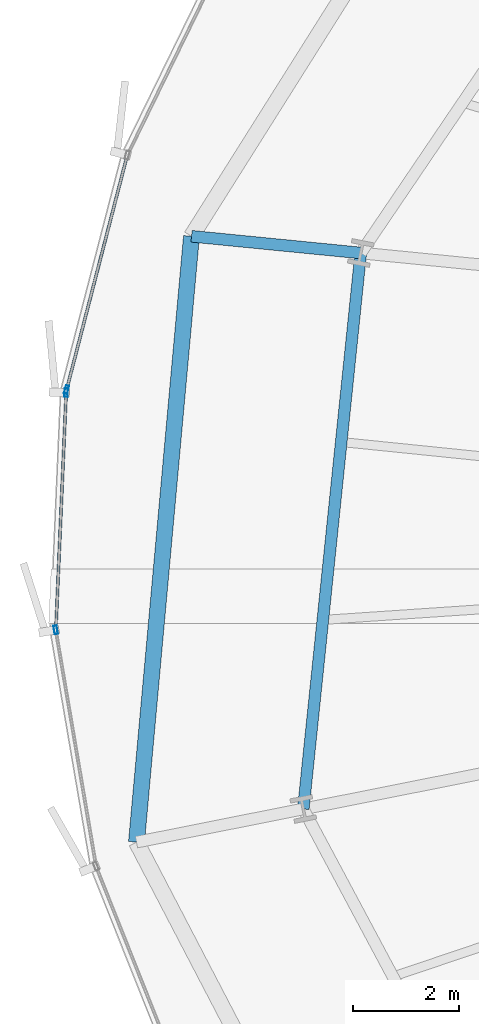
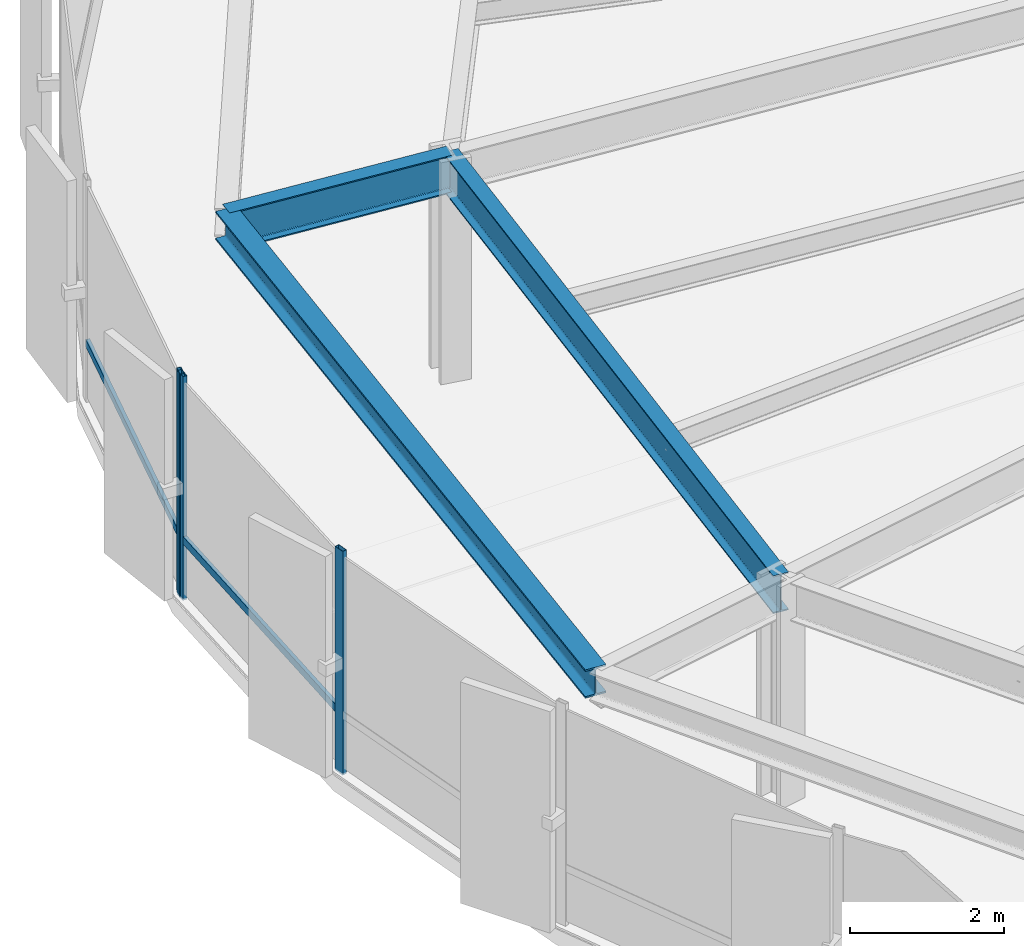
# One storey, part 9 of 39: 5 members, 3 beams, 2 elements without a shape of their own.
"""IFC4 building model written with IfcOpenShell, lengths in metres."""

import ifcopenshell
import ifcopenshell.guid

model = None  # the IFC model being written
_history = None  # IfcOwnerHistory: only IFC2X3 demands one
_inside = {}  # id of a spatial element -> (the spatial element, [elements in it])
_under = {}  # id of a project, library or spatial element -> (it, [spatial elements below it])
_declared = {}  # id of a project -> (the project, [libraries it declares])
_typed = {}  # id of a type object -> (the type object, [elements of that type])
_made_of = {}  # id of a material, layer set ... -> (it, [elements and type objects made of it])


def new_model(schema):
    """Start an empty IFC model of exactly this schema.

    Asked for "IFC4X3", IfcOpenShell would pick the latest addendum, in which some entities
    have other attributes; the version numbers below select the first issue.
    IFC2X3 requires an IfcOwnerHistory on every rooted entity: one is made here for all.
    """
    global model, _history
    if schema == "IFC4X3":
        model = ifcopenshell.file(schema_version=(4, 3, 0, 0))
    else:
        model = ifcopenshell.file(schema=schema)
    _inside.clear()
    _under.clear()
    _declared.clear()
    _typed.clear()
    _made_of.clear()
    _history = None
    if model.schema == "IFC2X3":
        org = make("IfcOrganization", Name="unknown")
        user = make(
            "IfcPersonAndOrganization",
            ThePerson=make("IfcPerson", FamilyName="unknown"),
            TheOrganization=org,
        )
        app = make(
            "IfcApplication",
            ApplicationDeveloper=org,
            Version="unknown",
            ApplicationFullName="unknown",
            ApplicationIdentifier="unknown",
        )
        _history = make(
            "IfcOwnerHistory",
            OwningUser=user,
            OwningApplication=app,
            ChangeAction="ADDED",
            CreationDate=0,
        )
    return model


def make(cls, **values):
    """One entity of the class cls with the attributes given. An attribute that is None is left unset."""
    return model.create_entity(
        cls, **{name: value for name, value in values.items() if value is not None}
    )


def rooted(cls, **values):
    """An entity with a GlobalId (a new one), such as an element, a storey or a relation."""
    return make(cls, GlobalId=ifcopenshell.guid.new(), OwnerHistory=_history, **values)


def si_unit(unit_type, name, prefix=None):
    """IfcSIUnit, for example si_unit("LENGTHUNIT", "METRE", prefix="MILLI")."""
    return make("IfcSIUnit", UnitType=unit_type, Prefix=prefix, Name=name)


def assignment(units):
    """IfcUnitAssignment: the units of a project."""
    return None if units is None else make("IfcUnitAssignment", Units=units)


def point(xyz):
    """IfcCartesianPoint."""
    return None if xyz is None else make("IfcCartesianPoint", Coordinates=xyz)


def direction(xyz):
    """IfcDirection."""
    return None if xyz is None else make("IfcDirection", DirectionRatios=xyz)


def frame(location, z_axis=None, x_axis=None):
    """IfcAxis2Placement3D, a coordinate frame: its origin and axes. An axis left out is left unset."""
    return make(
        "IfcAxis2Placement3D",
        Location=point(location),
        Axis=direction(z_axis),
        RefDirection=direction(x_axis),
    )


def frame_2d(location, x_axis=None):
    """IfcAxis2Placement2D, a coordinate frame in the plane: its origin and x axis."""
    return make(
        "IfcAxis2Placement2D", Location=point(location), RefDirection=direction(x_axis)
    )


def origin():
    """The frame at (0, 0, 0) with its axes left unset."""
    return frame((0.0, 0.0, 0.0))


def origin_2d():
    """The frame at (0, 0) in the plane with its x axis left unset."""
    return frame_2d((0.0, 0.0))


def place(relative_to, where):
    """IfcLocalPlacement: puts the frame where relative to a parent placement (None: the world)."""
    return make(
        "IfcLocalPlacement", PlacementRelTo=relative_to, RelativePlacement=where
    )


def context(
    kind, dimensions, precision=None, world=None, true_north=None, identifier=None
):
    """IfcGeometricRepresentationContext, for example the 3D "Model" context."""
    return make(
        "IfcGeometricRepresentationContext",
        ContextIdentifier=identifier,
        ContextType=kind,
        CoordinateSpaceDimension=dimensions,
        Precision=precision,
        WorldCoordinateSystem=world,
        TrueNorth=true_north,
    )


def subcontext(parent, identifier, kind, view, scale=None):
    """IfcGeometricRepresentationSubContext, for example "Body" below "Model"."""
    return make(
        "IfcGeometricRepresentationSubContext",
        ContextIdentifier=identifier,
        ContextType=kind,
        ParentContext=parent,
        TargetScale=scale,
        TargetView=view,
    )


def project(units=None, contexts=None):
    """IfcProject with its units and contexts."""
    return rooted(
        "IfcProject",
        Name="project",
        RepresentationContexts=contexts,
        UnitsInContext=assignment(units),
    )


def spatial(cls, under=None, at=None, **own):
    """A site, building, storey or space (cls), placed at a placement, below another one or the project."""
    s = rooted(cls, ObjectPlacement=at, **own)
    if under is not None:
        _under.setdefault(under.id(), (under, []))[1].append(s)
    return s


def profile(cls, at=None, kind="AREA", **sizes):
    """A parametric profile (cls). Its sizes go by their IFC names, for example OverallWidth=200.0."""
    return make(cls, ProfileType=kind, Position=at, **sizes)


def hollow_rectangle(**sizes):
    """IfcRectangleHollowProfileDef."""
    return profile("IfcRectangleHollowProfileDef", **sizes)


def i_section(**sizes):
    """IfcIShapeProfileDef."""
    return profile("IfcIShapeProfileDef", **sizes)


def extrude(swept, where, along, depth):
    """IfcExtrudedAreaSolid: the profile swept, set in the frame where, extruded along a direction by depth."""
    return make(
        "IfcExtrudedAreaSolid",
        SweptArea=swept,
        Position=where,
        ExtrudedDirection=direction(along),
        Depth=depth,
    )


def shape(context_of_items, identifier, shape_type, items):
    """IfcShapeRepresentation: the items that make up one representation, for example the "Body"."""
    return make(
        "IfcShapeRepresentation",
        ContextOfItems=context_of_items,
        RepresentationIdentifier=identifier,
        RepresentationType=shape_type,
        Items=items,
    )


def source(mapping_origin, context_of_items, identifier, shape_type, items):
    """IfcRepresentationMap: a shape defined once, which mapped items show again and again."""
    return make(
        "IfcRepresentationMap",
        MappingOrigin=mapping_origin,
        MappedRepresentation=shape(context_of_items, identifier, shape_type, items),
    )


def transform(
    local_origin,
    x_axis=None,
    y_axis=None,
    z_axis=None,
    scale=None,
    scale2=None,
    scale3=None,
    uniform=True,
):
    """IfcCartesianTransformationOperator3D, or its non-uniform kind. x_axis, y_axis, z_axis: its Axis1, 2, 3."""
    if uniform:
        return make(
            "IfcCartesianTransformationOperator3D",
            Axis1=direction(x_axis),
            Axis2=direction(y_axis),
            LocalOrigin=point(local_origin),
            Scale=scale,
            Axis3=direction(z_axis),
        )
    return make(
        "IfcCartesianTransformationOperator3DnonUniform",
        Axis1=direction(x_axis),
        Axis2=direction(y_axis),
        LocalOrigin=point(local_origin),
        Scale=scale,
        Axis3=direction(z_axis),
        Scale2=scale2,
        Scale3=scale3,
    )


def mapped(mapping_source, mapping_target):
    """IfcMappedItem: shows the shape of a source again, moved by a transform."""
    return make(
        "IfcMappedItem", MappingSource=mapping_source, MappingTarget=mapping_target
    )


def material(Name=None, Category=None):
    """IfcMaterial."""
    return make("IfcMaterial", Name=Name, Category=Category)


def layer(
    of_material, thickness, ventilated=None, Name=None, Category=None, Priority=None
):
    """IfcMaterialLayer: one layer of a wall or slab, of a material (None: an air gap)."""
    return make(
        "IfcMaterialLayer",
        Material=of_material,
        LayerThickness=thickness,
        IsVentilated=ventilated,
        Name=Name,
        Category=Category,
        Priority=Priority,
    )


def layer_set(layers, Name=None):
    """IfcMaterialLayerSet."""
    return make("IfcMaterialLayerSet", MaterialLayers=layers, LayerSetName=Name)


def material_profile(
    of_material, cross_section, Name=None, Category=None, Priority=None
):
    """IfcMaterialProfile: a cross section and its material."""
    return make(
        "IfcMaterialProfile",
        Name=Name,
        Material=of_material,
        Profile=cross_section,
        Priority=Priority,
        Category=Category,
    )


def profile_set(profiles, Name=None, composite=None):
    """IfcMaterialProfileSet."""
    return make(
        "IfcMaterialProfileSet",
        Name=Name,
        MaterialProfiles=profiles,
        CompositeProfile=composite,
    )


def made_of(thing, what):
    """Note that an element or type object is made of a material, layer set ...; save() writes the relation."""
    if what is not None:
        _made_of.setdefault(what.id(), (what, []))[1].append(thing)
    return thing


def type_object(cls, material=None, **own):
    """A type object (cls), such as IfcWallType, which elements share."""
    return made_of(rooted(cls, **own), material)


def element(
    cls,
    number,
    at=None,
    inside=None,
    cuts=None,
    type_object=None,
    material=None,
    context=None,
    identifier="Body",
    shape_type=None,
    held_by="IfcProductDefinitionShape",
    body=None,
    shapes=None,
    **own,
):
    """One element of the class cls, such as IfcWall. Its Tag is "e" and its number.

    at: its placement. inside: the storey or other place that contains it. cuts: it is an
    opening in that element (IfcRelVoidsElement). A single representation is given by context,
    identifier, shape_type and body (its items); several are given by shapes. held_by: the class
    of the entity that holds the representations. save() writes the other relations.
    """
    e = rooted(cls, Tag="e%d" % number, ObjectPlacement=at, **own)
    if body is not None:
        shapes = [shape(context, identifier, shape_type, body)]
    if shapes is not None:
        e.Representation = make(held_by, Representations=shapes)
    if inside is not None:
        _inside.setdefault(inside.id(), (inside, []))[1].append(e)
    if cuts is not None:
        rooted(
            "IfcRelVoidsElement", RelatingBuildingElement=cuts, RelatedOpeningElement=e
        )
    if type_object is not None:
        _typed.setdefault(type_object.id(), (type_object, []))[1].append(e)
    return made_of(e, material)


def aggregate(whole, parts):
    """IfcRelAggregates: a whole, such as a stair, and the parts it consists of."""
    return rooted("IfcRelAggregates", RelatingObject=whole, RelatedObjects=parts)


def save(model, path):
    """Write the relations noted so far, then the file.

    IfcRelAggregates (storeys below a building ...), IfcRelContainedInSpatialStructure (elements
    in a storey), IfcRelDefinesByType, IfcRelAssociatesMaterial and IfcRelDeclares: one each for
    every whole, place, type object, material and project.
    """
    for whole, parts in _under.values():
        aggregate(whole, parts)
    for where, things in _inside.values():
        rooted(
            "IfcRelContainedInSpatialStructure",
            RelatedElements=things,
            RelatingStructure=where,
        )
    for kind, things in _typed.values():
        rooted("IfcRelDefinesByType", RelatedObjects=things, RelatingType=kind)
    for what, things in _made_of.values():
        rooted("IfcRelAssociatesMaterial", RelatedObjects=things, RelatingMaterial=what)
    for by, libraries in _declared.values():
        rooted("IfcRelDeclares", RelatingContext=by, RelatedDefinitions=libraries)
    model.write(path)


model = new_model("IFC4")

# Units and contexts
model_context = context("Model", 3, precision=1e-05, world=origin(), true_north=direction((0.0, 1.0)))
body_context = subcontext(model_context, "Body", "Model", "MODEL_VIEW")
ifc_project = project(units=[si_unit("LENGTHUNIT", "METRE"), si_unit("AREAUNIT", "SQUARE_METRE"), si_unit("VOLUMEUNIT", "CUBIC_METRE"), si_unit("PLANEANGLEUNIT", "RADIAN"), si_unit("MASSUNIT", "GRAM", prefix="KILO"), si_unit("THERMODYNAMICTEMPERATUREUNIT", "KELVIN")], contexts=[model_context])

# Site, building, storey
site_placement = place(None, origin())
site = spatial("IfcSite", under=ifc_project, at=site_placement, CompositionType="ELEMENT")
building_placement = place(site_placement, origin())
building = spatial("IfcBuilding", under=site, at=building_placement, Name="Kethvar Cultural Tower", CompositionType="ELEMENT")
storey_placement = place(building_placement, frame((0.0, 0.0, 44.800048828125)))
storey = spatial("IfcBuildingStorey", under=building, at=storey_placement, Name="L10", CompositionType="ELEMENT", Elevation=44.800048828125)

# Beams
ifc_material_1 = material(Name="Steel S355J2", Category="steel")
ifc_material_profile_1 = material_profile(ifc_material_1, i_section(OverallWidth=0.219970703125, OverallDepth=0.60009765625, WebThickness=0.011962890625, FlangeThickness=0.01904296875, FilletRadius=0.02392578125, at=origin_2d()), Name="Steel S355J2 — IPE600")
ifc_profile_set_1 = profile_set([ifc_material_profile_1], Name="Steel S355J2 — IPE600")
beam_type_1 = type_object("IfcBeamType", Name="BM-IPE600", PredefinedType="BEAM", material=ifc_profile_set_1)
shared_shape_1 = source(origin(), body_context, "Body", "SweptSolid", [
    extrude(i_section(OverallWidth=0.219970703125, OverallDepth=0.60009765625, WebThickness=0.011962890625, FlangeThickness=0.01904296875, FilletRadius=0.02392578125, at=origin_2d()), origin(), (0.0, 0.0, 1.0), 3.199951171875),
])
beam_1_placement = place(storey_placement, frame((21.047119140625, 32.922607421875, 3.248046875), z_axis=(-0.995167757846, 0.098189275096, 0.0), x_axis=(-0.098189275096, -0.995167757846, 0.0)))
element("IfcBeam", 1, at=beam_1_placement, inside=storey, type_object=beam_type_1, Name="L10 Perimeter Cantilever Beam RC-08", PredefinedType="BEAM", context=body_context, shape_type="MappedRepresentation", body=[
    mapped(shared_shape_1, transform((0.0, 0.0, 0.0), scale=1.0)),
])
shared_shape_2 = source(origin(), body_context, "Body", "SweptSolid", [
    extrude(i_section(OverallWidth=0.219970703125, OverallDepth=0.60009765625, WebThickness=0.011962890625, FlangeThickness=0.01904296875, FilletRadius=0.02392578125, at=origin_2d()), origin(), (0.0, 0.0, 1.0), 10.515869140625),
])
beam_2_placement = place(storey_placement, frame((21.047119140625, 32.922607421875, 3.248046875), z_axis=(-0.102824694973, -0.994699493367, 0.0), x_axis=(0.994699493367, -0.102824694973, 0.0)))
element("IfcBeam", 2, at=beam_2_placement, inside=storey, type_object=beam_type_1, Name="L10 Column Ring Tie Beam CR-08", PredefinedType="BEAM", context=body_context, shape_type="MappedRepresentation", body=[
    mapped(shared_shape_2, transform((0.0, 0.0, 0.0), scale=1.0)),
])
ifc_material_profile_2 = material_profile(ifc_material_1, i_section(OverallWidth=0.300048828125, OverallDepth=0.449951171875, WebThickness=0.013916015625, FlangeThickness=0.02587890625, FilletRadius=0.027099609375, at=origin_2d()), Name="Steel S355J2 — HEB450")
ifc_profile_set_2 = profile_set([ifc_material_profile_2], Name="Steel S355J2 — HEB450")
beam_type_2 = type_object("IfcBeamType", Name="BM-SP450", PredefinedType="SPANDREL", material=ifc_profile_set_2)
shared_shape_3 = source(origin(), body_context, "Body", "SweptSolid", [
    extrude(i_section(OverallWidth=0.300048828125, OverallDepth=0.449951171875, WebThickness=0.013916015625, FlangeThickness=0.02587890625, FilletRadius=0.027099609375, at=origin_2d()), origin(), (0.0, 0.0, 1.0), 11.445556640625),
])
beam_3_placement = place(storey_placement, frame((17.862548828125, 33.23681640625, 3.322998046875), z_axis=(-0.090441506594, -0.995901769195, 0.0), x_axis=(0.995901769195, -0.090441506594, 0.0)))
element("IfcBeam", 3, at=beam_3_placement, inside=storey, type_object=beam_type_2, Name="L10 Perimeter Spandrel Beam SP-08", PredefinedType="SPANDREL", context=body_context, shape_type="MappedRepresentation", body=[
    mapped(shared_shape_3, transform((0.0, 0.0, 0.0), scale=1.0)),
])

# Curtain wall, member
ifc_material_2 = material(Name="Aluminium 6063-T6", Category="aluminium")
ifc_layer = layer(ifc_material_2, 0.179931640625, Name="Aluminium 6063-T6", Category="aluminium")
ifc_layer_set = layer_set([ifc_layer], Name="Aluminium 6063-T6 (180 mm)")
curtain_wall_type = type_object("IfcCurtainWallType", Name="CW-SYS-02-Z1", PredefinedType="NOTDEFINED", material=ifc_layer_set)
curtain_wall_1_placement = place(storey_placement, origin())
curtain_wall_1 = element("IfcCurtainWall", 4, at=curtain_wall_1_placement, inside=storey, type_object=curtain_wall_type, Name="L10 Curtain Wall Run 03", PredefinedType="NOTDEFINED")
ifc_material_profile_3 = material_profile(ifc_material_2, hollow_rectangle(XDim=0.06494140625, YDim=0.159912109375, WallThickness=0.0048828125, at=origin_2d()), Name="Aluminium 6063-T6 — RHS160x65x5")
ifc_profile_set_3 = profile_set([ifc_material_profile_3], Name="Aluminium 6063-T6 — RHS160x65x5")
member_type_1 = type_object("IfcMemberType", Name="CW-SYS-02-Z1-MUL", PredefinedType="MULLION", material=ifc_profile_set_3)
shared_shape_4 = source(origin(), body_context, "Body", "SweptSolid", [
    extrude(hollow_rectangle(XDim=0.06494140625, YDim=0.159912109375, WallThickness=0.0048828125, at=origin_2d()), origin(), (0.0, 0.0, 1.0), 3.550048828125),
])
member_1_placement = place(storey_placement, frame((15.51318359375, 30.352294921875, 0.0), z_axis=(0.0, 0.0, 1.0), x_axis=(0.968147640378, -0.250380004054, 0.0)))
member_1 = element("IfcMember", 5, at=member_1_placement, type_object=member_type_1, Name="CW-L10-R03 Mullion 7", PredefinedType="MULLION", context=body_context, shape_type="MappedRepresentation", body=[
    mapped(shared_shape_4, transform((0.0, 0.0, 0.0), scale=1.0)),
])

# Curtain wall, members
curtain_wall_2_placement = place(storey_placement, origin())
curtain_wall_2 = element("IfcCurtainWall", 6, at=curtain_wall_2_placement, inside=storey, type_object=curtain_wall_type, Name="L10 Curtain Wall Run 04", PredefinedType="NOTDEFINED")
member_2_placement = place(storey_placement, frame((15.50439453125, 30.2939453125, 0.0), z_axis=(0.0, 0.0, 1.0), x_axis=(0.999055060974, -0.0434624567, 0.0)))
member_2 = element("IfcMember", 7, at=member_2_placement, type_object=member_type_1, Name="CW-L10-R04 Mullion 1", PredefinedType="MULLION", context=body_context, shape_type="MappedRepresentation", body=[
    mapped(shared_shape_4, transform((0.0, 0.0, 0.0), scale=1.0)),
])
member_3_placement = place(storey_placement, frame((15.3076171875, 25.831298828125, 0.0), z_axis=(0.0, 0.0, 1.0), x_axis=(0.985729923178, 0.168334543548, 0.0)))
member_3 = element("IfcMember", 8, at=member_3_placement, type_object=member_type_1, Name="CW-L10-R04 Mullion 2", PredefinedType="MULLION", context=body_context, shape_type="MappedRepresentation", body=[
    mapped(shared_shape_4, transform((0.0, 0.0, 0.0), scale=1.0)),
])

# Member
ifc_material_profile_4 = material_profile(ifc_material_2, hollow_rectangle(XDim=0.054931640625, YDim=0.1201171875, WallThickness=0.00390625, at=origin_2d()), Name="Aluminium 6063-T6 — RHS120x55x4")
ifc_profile_set_4 = profile_set([ifc_material_profile_4], Name="Aluminium 6063-T6 — RHS120x55x4")
member_type_2 = type_object("IfcMemberType", Name="CW-SYS-02-Z1-TRN", PredefinedType="USERDEFINED", material=ifc_profile_set_4)
shared_shape_5 = source(origin(), body_context, "Body", "SweptSolid", [
    extrude(hollow_rectangle(XDim=0.054931640625, YDim=0.1201171875, WallThickness=0.00390625, at=origin_2d()), origin(), (0.0, 0.0, 1.0), 4.505615234375),
])
member_4_placement = place(storey_placement, frame((16.642578125, 34.71875, 0.949951171875), z_axis=(-0.250394205723, -0.968143967466, 0.0), x_axis=(0.968143967466, -0.250394205723, 0.0)))
member_4 = element("IfcMember", 9, at=member_4_placement, type_object=member_type_2, Name="CW-L10-R03 Transom 6", ObjectType="TRANSOM", PredefinedType="USERDEFINED", context=body_context, shape_type="MappedRepresentation", body=[
    mapped(shared_shape_5, transform((0.0, 0.0, 0.0), scale=1.0)),
])

aggregate(curtain_wall_1, [member_1, member_4])

shared_shape_6 = source(origin(), body_context, "Body", "SweptSolid", [
    extrude(hollow_rectangle(XDim=0.054931640625, YDim=0.1201171875, WallThickness=0.00390625, at=origin_2d()), origin(), (0.0, 0.0, 1.0), 4.440673828125),
])
member_5_placement = place(storey_placement, frame((15.50439453125, 30.289306640625, 0.949951171875), z_axis=(-0.043487326501, -0.999053978739, 0.0), x_axis=(0.999053978739, -0.043487326501, 0.0)))
member_5 = element("IfcMember", 10, at=member_5_placement, type_object=member_type_2, Name="CW-L10-R04 Transom 1", ObjectType="TRANSOM", PredefinedType="USERDEFINED", context=body_context, shape_type="MappedRepresentation", body=[
    mapped(shared_shape_6, transform((0.0, 0.0, 0.0), scale=1.0)),
])

aggregate(curtain_wall_2, [member_2, member_3, member_5])

save(model, "model.ifc")
